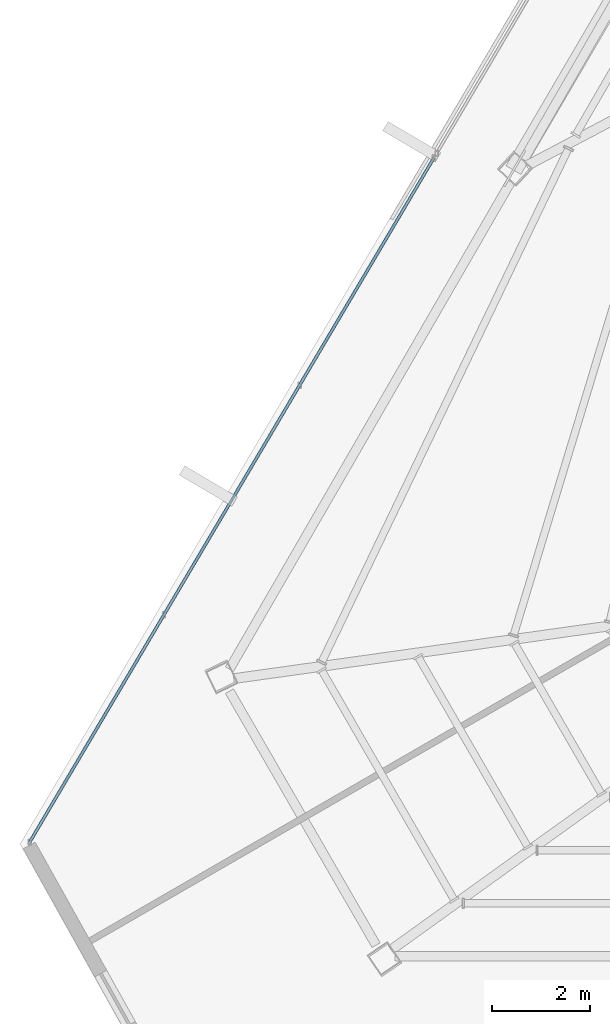
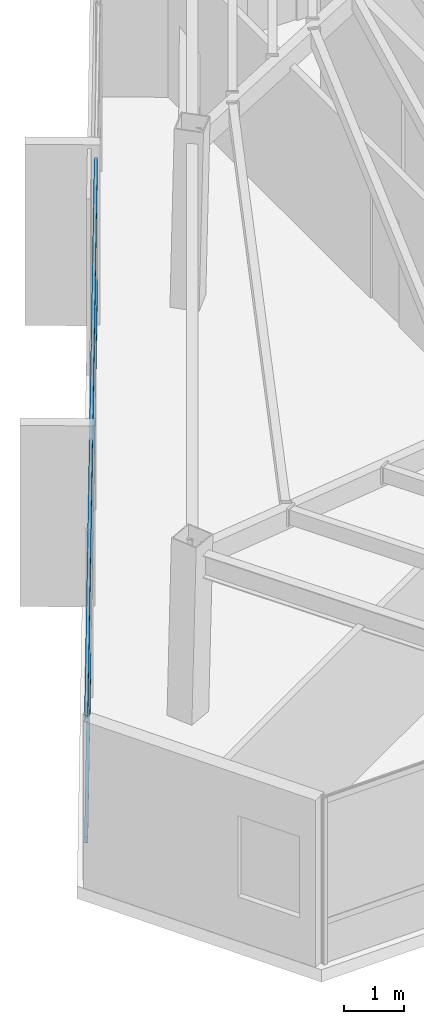
# One storey, part 8 of 48: 2 members, 1 element without a shape of its own.
"""IFC4 building model written with IfcOpenShell, lengths in metres."""

from ifc_helpers import new_model, si_unit, direction, frame, origin, origin_2d, place, context, subcontext, project, spatial, hollow_rectangle, extrude, source, transform, mapped, material, material_profile, profile_set, type_object, type_shapes, element, aggregate, save


model = new_model("IFC4")

# Units and contexts
model_context = context("Model", 3, precision=1e-05, world=origin(), true_north=direction((0.0, 1.0)))
body_context = subcontext(model_context, "Body", "Model", "MODEL_VIEW")
ifc_project = project(units=[si_unit("LENGTHUNIT", "METRE"), si_unit("AREAUNIT", "SQUARE_METRE"), si_unit("VOLUMEUNIT", "CUBIC_METRE"), si_unit("PLANEANGLEUNIT", "RADIAN"), si_unit("MASSUNIT", "GRAM", prefix="KILO")], contexts=[model_context])

# Site, building, storey
site_placement = place(None, origin())
site = spatial("IfcSite", under=ifc_project, at=site_placement, CompositionType="ELEMENT")
building_placement = place(site_placement, origin())
building = spatial("IfcBuilding", under=site, at=building_placement, Name="Caelisora Broadcast Tower", CompositionType="ELEMENT")
storey_placement = place(building_placement, frame((0.0, 0.0, 277.300048828125)))
storey = spatial("IfcBuildingStorey", under=building, at=storey_placement, Name="L73", CompositionType="ELEMENT", Elevation=277.300048828125)

# Curtain wall, members
ifc_material_1 = material(Name="Unitised Aluminium and Low-E Glass Curtain Wall", Category="glass")
curtain_wall_type = type_object("IfcCurtainWallType", Name="CW-Z5", PredefinedType="NOTDEFINED", material=ifc_material_1)
curtain_wall_placement = place(storey_placement, origin())
curtain_wall = element("IfcCurtainWall", 1, at=curtain_wall_placement, inside=storey, type_object=curtain_wall_type, Name="L73 curtain wall CW-Z5", PredefinedType="NOTDEFINED")
ifc_material_2 = material(Name="Aluminium 6063-T6 Anodised Terracotta Bronze", Category="aluminium")
ifc_material_profile = material_profile(ifc_material_2, hollow_rectangle(XDim=0.06005859375, YDim=0.1201171875, WallThickness=0.0029296875, at=origin_2d()), Name="Aluminium 6063-T6 Anodised Terracotta Bronze")
ifc_profile_set = profile_set([ifc_material_profile], Name="Aluminium 6063-T6 Anodised Terracotta Bronze")
member_type = type_object("IfcMemberType", Name="CWT-03", PredefinedType="USERDEFINED", material=ifc_profile_set)
shared_shape = source(origin(), body_context, "Body", "SweptSolid", [
    extrude(hollow_rectangle(XDim=0.06005859375, YDim=0.1201171875, WallThickness=0.0029296875, at=origin_2d()), origin(), (0.0, 0.0, 1.0), 16.254150390625),
])
type_shapes(member_type, [shared_shape])
member_1_placement = place(storey_placement, frame((12.740478515625, 12.15087890625, 0.849853515625), z_axis=(0.508628100711, 0.860986326934, 0.0), x_axis=(-0.860986326934, 0.508628100711, 0.0)))
member_1 = element("IfcMember", 2, at=member_1_placement, type_object=member_type, Name="L73-CW-B09 transom #1", ObjectType="TRANSOM", PredefinedType="USERDEFINED", context=body_context, shape_type="MappedRepresentation", body=[
    mapped(shared_shape, transform((0.0, 0.0, 0.0), scale=1.0)),
])
member_2_placement = place(storey_placement, frame((12.740478515625, 12.15087890625, 3.320068359375), z_axis=(0.508628100711, 0.860986326934, 0.0), x_axis=(-0.860986326934, 0.508628100711, 0.0)))
member_2 = element("IfcMember", 3, at=member_2_placement, type_object=member_type, Name="L73-CW-B09 transom #2", ObjectType="TRANSOM", PredefinedType="USERDEFINED", context=body_context, shape_type="MappedRepresentation", body=[
    mapped(shared_shape, transform((0.0, 0.0, 0.0), scale=1.0)),
])
aggregate(curtain_wall, [member_1, member_2])

save(model, "model.ifc")
